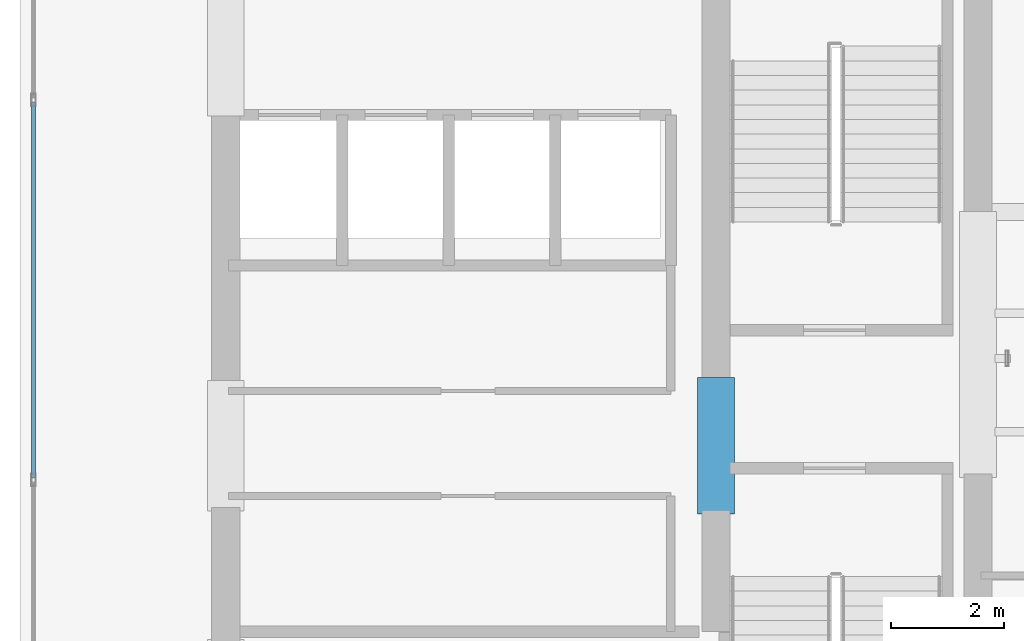
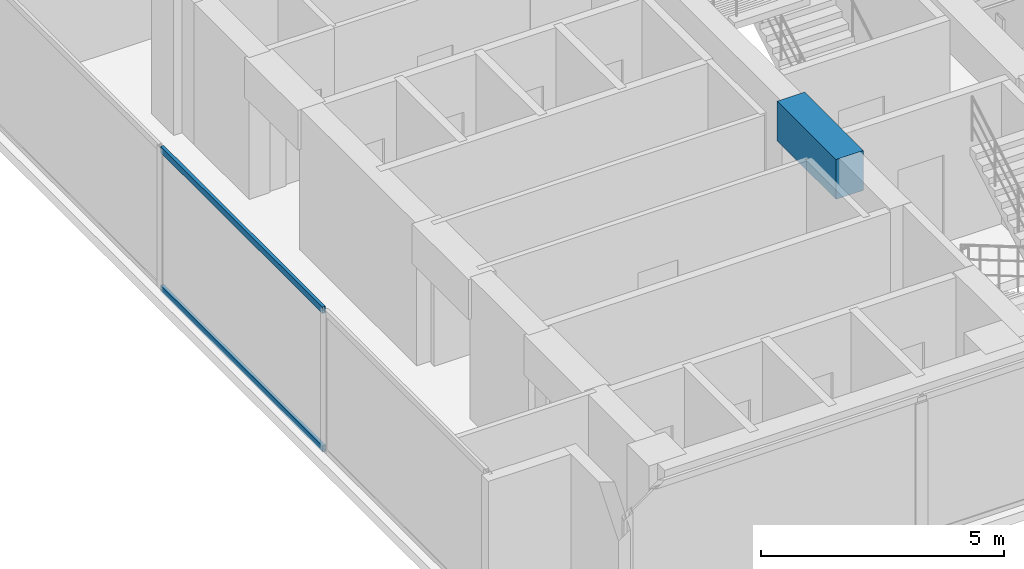
# One storey, part 3 of 22: 2 members, 1 beam, 1 element without a shape of its own.
"""IFC4 building model written with IfcOpenShell, lengths in metres."""

from ifc_helpers import new_model, si_unit, direction, frame, origin, origin_with_axes, origin_2d, place, context, subcontext, project, spatial, rectangle, hollow_rectangle, extrude, source, transform, mapped, material, layer, layer_set, material_profile, profile_set, type_object, element, aggregate, save


model = new_model("IFC4")

# Units and contexts
model_context = context("Model", 3, precision=1e-05, world=origin(), true_north=direction((0.0, 1.0)))
body_context = subcontext(model_context, "Body", "Model", "MODEL_VIEW")
ifc_project = project(units=[si_unit("LENGTHUNIT", "METRE"), si_unit("AREAUNIT", "SQUARE_METRE"), si_unit("VOLUMEUNIT", "CUBIC_METRE"), si_unit("PLANEANGLEUNIT", "RADIAN"), si_unit("MASSUNIT", "GRAM", prefix="KILO")], contexts=[model_context])

# Site, building, storey
site_placement = place(None, origin())
site = spatial("IfcSite", under=ifc_project, at=site_placement, CompositionType="ELEMENT")
building_placement = place(site_placement, origin())
building = spatial("IfcBuilding", under=site, at=building_placement, Name="Kolvaren Waterfront Exchange", CompositionType="ELEMENT")
storey_placement = place(building_placement, frame((0.0, 0.0, 278.0)))
storey = spatial("IfcBuildingStorey", under=building, at=storey_placement, Name="L71", CompositionType="ELEMENT", Elevation=278.0)

# Beam
ifc_material_1 = material(Name="Concrete C60/75", Category="concrete")
ifc_material_profile_1 = material_profile(ifc_material_1, rectangle(XDim=0.64990234375, YDim=1.0, at=origin_2d()), Name="RC-CB-1000x650")
ifc_profile_set_1 = profile_set([ifc_material_profile_1], Name="Concrete C60/75")
beam_type = type_object("IfcBeamType", Name="STR-CB-1000", PredefinedType="SPANDREL", material=ifc_profile_set_1)
beam_placement = place(storey_placement, frame((16.14990234375, 12.0400390625, 3.06005859375), z_axis=(0.0, 1.0, 0.0), x_axis=(-1.0, 0.0, 0.0)))
element("IfcBeam", 1, at=beam_placement, inside=storey, type_object=beam_type, Name="L71 core coupling beam 6", PredefinedType="SPANDREL", context=body_context, shape_type="SweptSolid", body=[
    extrude(rectangle(XDim=0.64990234375, YDim=1.0, at=origin_2d()), origin(), (0.0, 0.0, 1.0), 2.419921875),
])

# Curtain wall, members
ifc_material_2 = material(Name="Anodised aluminium 6063-T6", Category="aluminium")
ifc_layer = layer(ifc_material_2, 0.219970703125, Name="Anodised aluminium 6063-T6")
ifc_layer_set = layer_set([ifc_layer], Name="Anodised aluminium 6063-T6")
curtain_wall_type = type_object("IfcCurtainWallType", Name="ARC-CW-SYS2", PredefinedType="USERDEFINED", material=ifc_layer_set)
curtain_wall_placement = place(storey_placement, origin())
curtain_wall = element("IfcCurtainWall", 2, at=curtain_wall_placement, inside=storey, type_object=curtain_wall_type, Name="L71 stick curtain wall CW2 (CW-L71-W)", ObjectType="STICK CURTAIN WALL", PredefinedType="USERDEFINED")
ifc_material_profile_2 = material_profile(ifc_material_2, hollow_rectangle(XDim=0.074951171875, YDim=0.159912109375, WallThickness=0.00439453125, at=origin_2d()), Name="ALU-TRN-160x75x4.5")
ifc_profile_set_2 = profile_set([ifc_material_profile_2], Name="Anodised aluminium 6063-T6")
member_type = type_object("IfcMemberType", Name="ARC-CWT-160", PredefinedType="USERDEFINED", material=ifc_profile_set_2)
shared_shape = source(origin_with_axes(), body_context, "Body", "SweptSolid", [
    extrude(hollow_rectangle(XDim=0.074951171875, YDim=0.159912109375, WallThickness=0.00439453125, at=origin_2d()), origin(), (0.0, 0.0, 1.0), 6.662109375),
])
member_1_placement = place(storey_placement, frame((4.0400390625, 12.68212890625, 0.03759765625), z_axis=(0.0, 1.0, 0.0), x_axis=(-1.0, 0.0, 0.0)))
member_1 = element("IfcMember", 3, at=member_1_placement, type_object=member_type, Name="CW2 transom 2.1", ObjectType="TRANSOM", PredefinedType="USERDEFINED", context=body_context, shape_type="MappedRepresentation", body=[
    mapped(shared_shape, transform((0.0, 0.0, 0.0), x_axis=(1.0, 0.0, 0.0), y_axis=(0.0, 1.0, 0.0), z_axis=(0.0, 0.0, 1.0), scale=1.0)),
])
member_2_placement = place(storey_placement, frame((4.0400390625, 12.68212890625, 3.5224609375), z_axis=(0.0, 1.0, 0.0), x_axis=(-1.0, 0.0, 0.0)))
member_2 = element("IfcMember", 4, at=member_2_placement, type_object=member_type, Name="CW2 transom 2.2", ObjectType="TRANSOM", PredefinedType="USERDEFINED", context=body_context, shape_type="MappedRepresentation", body=[
    mapped(shared_shape, transform((0.0, 0.0, 0.0), x_axis=(1.0, 0.0, 0.0), y_axis=(0.0, 1.0, 0.0), z_axis=(0.0, 0.0, 1.0), scale=1.0)),
])
aggregate(curtain_wall, [member_1, member_2])

save(model, "model.ifc")
